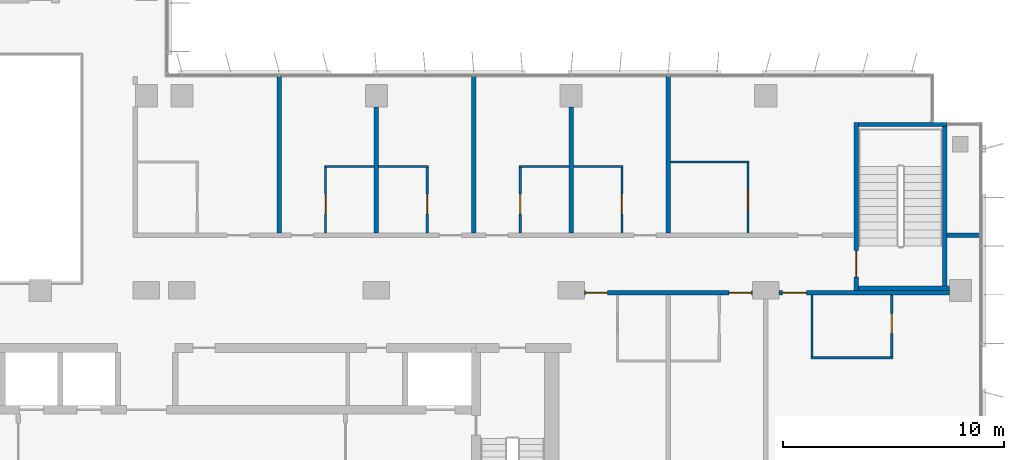
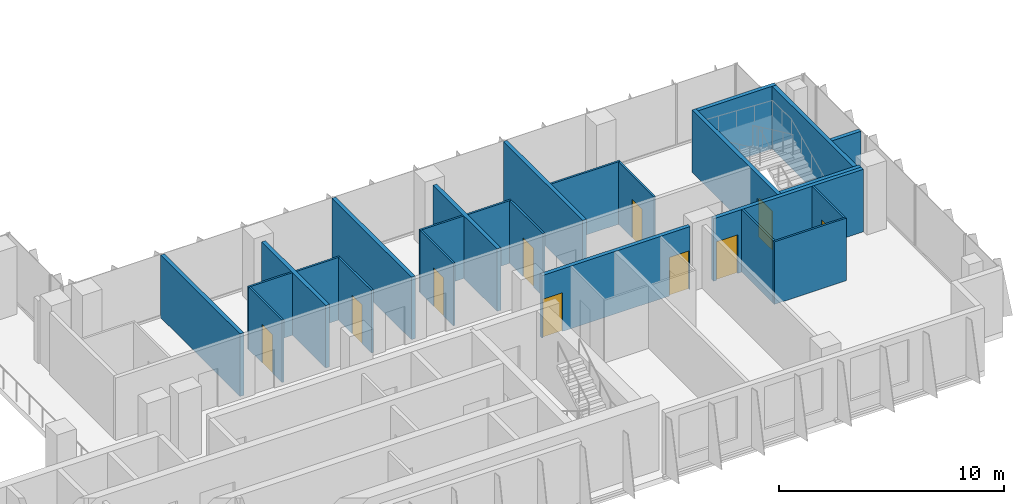
# One storey, part 14 of 22: 25 walls, 10 doors, 10 openings.
"""IFC4 building model written with IfcOpenShell, lengths in metres."""

from ifc_helpers import new_model, si_unit, direction, frame, frame_2d, origin, place, context, subcontext, project, spatial, rectangle, extrude, material, layer, layer_set, type_object, element, fill, save


model = new_model("IFC4")

# Units and contexts
model_context = context("Model", 3, precision=1e-05, world=origin(), true_north=direction((0.0, 1.0)))
body_context = subcontext(model_context, "Body", "Model", "MODEL_VIEW")
ifc_project = project(units=[si_unit("LENGTHUNIT", "METRE"), si_unit("AREAUNIT", "SQUARE_METRE"), si_unit("VOLUMEUNIT", "CUBIC_METRE"), si_unit("PLANEANGLEUNIT", "RADIAN"), si_unit("MASSUNIT", "GRAM", prefix="KILO")], contexts=[model_context])

# Site, building, storey
site_placement = place(None, origin())
site = spatial("IfcSite", under=ifc_project, at=site_placement, CompositionType="ELEMENT")
building_placement = place(site_placement, origin())
building = spatial("IfcBuilding", under=site, at=building_placement, Name="Kemantara Hotel Tower", CompositionType="ELEMENT")
storey_placement = place(building_placement, frame((0.0, 0.0, 153.10009765625)))
storey = spatial("IfcBuildingStorey", under=building, at=storey_placement, Name="L37", CompositionType="ELEMENT", Elevation=153.10009765625)

# Wall, openings, doors
ifc_material_1 = material(Name="Gypsum board partition, steel studs and mineral wool, 200 mm", Category="steel")
ifc_layer_1 = layer(ifc_material_1, 0.199951171875)
ifc_layer_set_1 = layer_set([ifc_layer_1], Name="Gypsum board partition, steel studs and mineral wool, 200 mm")
wall_type_1 = type_object("IfcWallType", Name="CORRIDOR WALL 200", PredefinedType="PARTITIONING", material=ifc_layer_set_1)
wall_1_placement = place(storey_placement, frame((53.199951171875, 12.10009765625, 0.0), z_axis=(0.0, 0.0, 1.0), x_axis=(-1.0, 0.0, 0.0)))
wall_1 = element("IfcWall", 1, at=wall_1_placement, inside=storey, type_object=wall_type_1, Name="CORRIDOR WALL 200 001", PredefinedType="PARTITIONING", context=body_context, shape_type="SweptSolid", body=[
    extrude(rectangle(XDim=7.599853515625, YDim=0.199951171875, at=frame_2d((3.7998046875, 0.0))), origin(), (0.0, 0.0, 1.0), 3.39990234375),
])
opening_1_placement = place(wall_1_placement, frame((6.5498046875, 0.0, 0.0)))
opening_1 = element("IfcOpeningElement", 2, at=opening_1_placement, cuts=wall_1, Name="Opening F17-001", PredefinedType="OPENING", context=body_context, shape_type="SweptSolid", body=[
    extrude(rectangle(XDim=1.0, YDim=2.10009765625, at=frame_2d((0.5, 1.050048828125))), frame((0.0, 0.10986328125, 0.0), z_axis=(0.0, -1.0, 0.0), x_axis=(1.0, 0.0, 0.0)), (0.0, 0.0, 1.0), 0.219970703125),
])
opening_2_placement = place(wall_1_placement, frame((0.0498046875, 0.0, 0.0)))
opening_2 = element("IfcOpeningElement", 3, at=opening_2_placement, cuts=wall_1, Name="Opening F17-003", PredefinedType="OPENING", context=body_context, shape_type="SweptSolid", body=[
    extrude(rectangle(XDim=1.0, YDim=2.10009765625, at=frame_2d((0.5, 1.050048828125))), frame((0.0, 0.10986328125, 0.0), z_axis=(0.0, -1.0, 0.0), x_axis=(1.0, 0.0, 0.0)), (0.0, 0.0, 1.0), 0.219970703125),
])
ifc_material_2 = material(Name="Hardwood veneer door leaf with steel frame", Category="steel")
door_type_1 = type_object("IfcDoorType", Name="GUEST ROOM DOOR 1000 X 2100 FD30S", OperationType="NOTDEFINED", PredefinedType="DOOR", material=ifc_material_2)
door_1_placement = place(opening_1_placement, origin())
door_1 = element("IfcDoor", 4, at=door_1_placement, inside=storey, type_object=door_type_1, Name="GUEST ROOM DOOR F17-001", OperationType="SINGLE_SWING_RIGHT", OverallHeight=2.10009765625, OverallWidth=1.0, PredefinedType="DOOR", context=body_context, shape_type="SweptSolid", body=[
    extrude(rectangle(XDim=1.0, YDim=2.10009765625, at=frame_2d((0.5, 1.050048828125))), frame((0.0, 0.02490234375, 0.0), z_axis=(0.0, -1.0, 0.0), x_axis=(1.0, 0.0, 0.0)), (0.0, 0.0, 1.0), 0.050048828125),
])
fill(opening_1, door_1)
door_2_placement = place(opening_2_placement, origin())
door_2 = element("IfcDoor", 5, at=door_2_placement, inside=storey, type_object=door_type_1, Name="GUEST ROOM DOOR F17-003", OperationType="SINGLE_SWING_LEFT", OverallHeight=2.10009765625, OverallWidth=1.0, PredefinedType="DOOR", context=body_context, shape_type="SweptSolid", body=[
    extrude(rectangle(XDim=1.0, YDim=2.10009765625, at=frame_2d((0.5, 1.050048828125))), frame((0.0, 0.02490234375, 0.0), z_axis=(0.0, -1.0, 0.0), x_axis=(1.0, 0.0, 0.0)), (0.0, 0.0, 1.0), 0.050048828125),
])
fill(opening_2, door_2)

# Wall, opening, door
wall_2_placement = place(storey_placement, frame((62.099853515625, 12.10009765625, 0.0), z_axis=(0.0, 0.0, 1.0), x_axis=(-1.0, 0.0, 0.0)))
wall_2 = element("IfcWall", 6, at=wall_2_placement, inside=storey, type_object=wall_type_1, Name="CORRIDOR WALL 200 002", PredefinedType="PARTITIONING", context=body_context, shape_type="SweptSolid", body=[
    extrude(rectangle(XDim=7.69970703125, YDim=0.199951171875, at=frame_2d((3.849853515625, 0.0))), origin(), (0.0, 0.0, 1.0), 3.39990234375),
])
opening_3_placement = place(wall_2_placement, frame((6.449951171875, 0.0, 0.0)))
opening_3 = element("IfcOpeningElement", 7, at=opening_3_placement, cuts=wall_2, Name="Opening F17-005", PredefinedType="OPENING", context=body_context, shape_type="SweptSolid", body=[
    extrude(rectangle(XDim=1.10009765625, YDim=2.10009765625, at=frame_2d((0.550048828125, 1.050048828125))), frame((0.0, 0.10986328125, 0.0), z_axis=(0.0, -1.0, 0.0), x_axis=(1.0, 0.0, 0.0)), (0.0, 0.0, 1.0), 0.219970703125),
])
door_type_2 = type_object("IfcDoorType", Name="SUITE ENTRANCE DOOR 1100 X 2100 FD30S", OperationType="NOTDEFINED", PredefinedType="DOOR", material=ifc_material_2)
door_3_placement = place(opening_3_placement, origin())
door_3 = element("IfcDoor", 8, at=door_3_placement, inside=storey, type_object=door_type_2, Name="SUITE ENTRANCE DOOR F17-005", OperationType="SINGLE_SWING_LEFT", OverallHeight=2.10009765625, OverallWidth=1.10009765625, PredefinedType="DOOR", context=body_context, shape_type="SweptSolid", body=[
    extrude(rectangle(XDim=1.10009765625, YDim=2.10009765625, at=frame_2d((0.550048828125, 1.050048828125))), frame((0.0, 0.02490234375, 0.0), z_axis=(0.0, -1.0, 0.0), x_axis=(1.0, 0.0, 0.0)), (0.0, 0.0, 1.0), 0.050048828125),
])
fill(opening_3, door_3)

# Wall
wall_3_placement = place(storey_placement, frame((62.0, 14.699951171875, 0.0), z_axis=(0.0, 0.0, 1.0), x_axis=(1.0, 0.0, 0.0)))
element("IfcWall", 9, at=wall_3_placement, inside=storey, type_object=wall_type_1, Name="CORRIDOR WALL 200 007", PredefinedType="PARTITIONING", context=body_context, shape_type="SweptSolid", body=[
    extrude(rectangle(XDim=1.47998046875, YDim=0.199951171875, at=frame_2d((0.739990234375, 0.0))), origin(), (0.0, 0.0, 1.0), 3.39990234375),
])

# Wall, opening, door
ifc_material_3 = material(Name="Concrete fc 40 MPa", Category="concrete")
ifc_layer_2 = layer(ifc_material_3, 0.199951171875)
ifc_layer_set_2 = layer_set([ifc_layer_2], Name="Concrete fc 40 MPa")
wall_type_2 = type_object("IfcWallType", Name="Concrete stair wall 200 mm", PredefinedType="SHEAR", material=ifc_layer_set_2)
wall_4_placement = place(storey_placement, frame((57.89990234375, 12.199951171875, 0.0), z_axis=(0.0, 0.0, 1.0), x_axis=(0.0, 1.0, 0.0)))
wall_4 = element("IfcWall", 10, at=wall_4_placement, inside=storey, type_object=wall_type_2, Name="Stair ST3 enclosure wall with door", PredefinedType="SHEAR", context=body_context, shape_type="SweptSolid", body=[
    extrude(rectangle(XDim=7.60009765625, YDim=0.199951171875, at=frame_2d((3.800048828125, 0.0))), origin(), (0.0, 0.0, 1.0), 3.39990234375),
])
opening_4_placement = place(wall_4_placement, frame((0.60009765625, 0.0, 0.0)))
opening_4 = element("IfcOpeningElement", 11, at=opening_4_placement, cuts=wall_4, Name="Opening ST3-C", PredefinedType="OPENING", context=body_context, shape_type="SweptSolid", body=[
    extrude(rectangle(XDim=1.199951171875, YDim=2.10009765625, at=frame_2d((0.60009765625, 1.050048828125))), frame((0.0, 0.10986328125, 0.0), z_axis=(0.0, -1.0, 0.0), x_axis=(1.0, 0.0, 0.0)), (0.0, 0.0, 1.0), 0.219970703125),
])
ifc_material_4 = material(Name="Steel fire door", Category="steel")
door_type_3 = type_object("IfcDoorType", Name="Fire door FD90 1200 x 2100", OperationType="NOTDEFINED", PredefinedType="DOOR", material=ifc_material_4)
door_4_placement = place(opening_4_placement, frame((1.199951171875, 0.0, 0.0), z_axis=(0.0, 0.0, 1.0), x_axis=(-1.0, 0.0, 0.0)))
door_4 = element("IfcDoor", 12, at=door_4_placement, inside=storey, type_object=door_type_3, Name="Stair ST3 door", OperationType="SINGLE_SWING_RIGHT", OverallHeight=2.10009765625, OverallWidth=1.199951171875, PredefinedType="DOOR", context=body_context, shape_type="SweptSolid", body=[
    extrude(rectangle(XDim=1.199951171875, YDim=2.10009765625, at=frame_2d((0.60009765625, 1.050048828125))), frame((0.0, 0.02490234375, 0.0), z_axis=(0.0, -1.0, 0.0), x_axis=(1.0, 0.0, 0.0)), (0.0, 0.0, 1.0), 0.050048828125),
])
fill(opening_4, door_4)

# Walls
wall_5_placement = place(storey_placement, frame((58.0, 19.699951171875, 0.0), z_axis=(0.0, 0.0, 1.0), x_axis=(1.0, 0.0, 0.0)))
element("IfcWall", 13, at=wall_5_placement, inside=storey, type_object=wall_type_2, Name="Stair ST3 enclosure wall N", PredefinedType="SHEAR", context=body_context, shape_type="SweptSolid", body=[
    extrude(rectangle(XDim=4.0, YDim=0.199951171875, at=frame_2d((2.0, 0.0))), origin(), (0.0, 0.0, 1.0), 3.39990234375),
])
wall_6_placement = place(storey_placement, frame((58.0, 12.300048828125, 0.0), z_axis=(0.0, 0.0, 1.0), x_axis=(1.0, 0.0, 0.0)))
element("IfcWall", 14, at=wall_6_placement, inside=storey, type_object=wall_type_2, Name="Stair ST3 enclosure wall S", PredefinedType="SHEAR", context=body_context, shape_type="SweptSolid", body=[
    extrude(rectangle(XDim=4.10009765625, YDim=0.199951171875, at=frame_2d((2.050048828125, 0.0))), origin(), (0.0, 0.0, 1.0), 3.39990234375),
])
wall_7_placement = place(storey_placement, frame((61.89990234375, 12.39990234375, 0.0), z_axis=(0.0, 0.0, 1.0), x_axis=(0.0, 1.0, 0.0)))
element("IfcWall", 15, at=wall_7_placement, inside=storey, type_object=wall_type_2, Name="Stair ST3 enclosure wall E", PredefinedType="SHEAR", context=body_context, shape_type="SweptSolid", body=[
    extrude(rectangle(XDim=7.2001953125, YDim=0.199951171875, at=frame_2d((3.60009765625, 0.0))), origin(), (0.0, 0.0, 1.0), 3.39990234375),
])
ifc_layer_3 = layer(ifc_material_1, 0.199951171875)
ifc_layer_set_3 = layer_set([ifc_layer_3], Name="Gypsum board partition, steel studs and mineral wool, 200 mm")
wall_type_3 = type_object("IfcWallType", Name="GUEST ROOM PARTY WALL 200", PredefinedType="PARTITIONING", material=ifc_layer_set_3)
for number, where, z_axis, x_axis, name in (
    (16, (49.39990234375, 14.800048828125, 0.0), (0.0, 0.0, 1.0), (0.0, 1.0, 0.0), "GUEST ROOM PARTY WALL 200 004"),
    (17, (31.800048828125, 14.800048828125, 0.0), (0.0, 0.0, 1.0), (0.0, 1.0, 0.0), "GUEST ROOM PARTY WALL 200 010"),
):
    element("IfcWall", number, at=place(storey_placement, frame(where, z_axis=z_axis, x_axis=x_axis)), inside=storey, type_object=wall_type_3, Name=name, PredefinedType="PARTITIONING", context=body_context, shape_type="SweptSolid", body=[
        extrude(rectangle(XDim=7.070068359375, YDim=0.199951171875, at=frame_2d((3.53515625, 0.0))), origin(), (0.0, 0.0, 1.0), 3.39990234375),
    ])
wall_8_placement = place(storey_placement, frame((36.199951171875, 14.800048828125, 0.0), z_axis=(0.0, 0.0, 1.0), x_axis=(0.0, 1.0, 0.0)))
element("IfcWall", 18, at=wall_8_placement, inside=storey, type_object=wall_type_3, Name="GUEST ROOM PARTY WALL 200 011", PredefinedType="PARTITIONING", context=body_context, shape_type="SweptSolid", body=[
    extrude(rectangle(XDim=5.699951171875, YDim=0.199951171875, at=frame_2d((2.85009765625, 0.0))), origin(), (0.0, 0.0, 1.0), 3.39990234375),
])
wall_9_placement = place(storey_placement, frame((40.60009765625, 14.800048828125, 0.0), z_axis=(0.0, 0.0, 1.0), x_axis=(0.0, 1.0, 0.0)))
element("IfcWall", 19, at=wall_9_placement, inside=storey, type_object=wall_type_3, Name="GUEST ROOM PARTY WALL 200 012", PredefinedType="PARTITIONING", context=body_context, shape_type="SweptSolid", body=[
    extrude(rectangle(XDim=7.070068359375, YDim=0.199951171875, at=frame_2d((3.53515625, 0.0))), origin(), (0.0, 0.0, 1.0), 3.39990234375),
])
wall_10_placement = place(storey_placement, frame((45.0, 14.800048828125, 0.0), z_axis=(0.0, 0.0, 1.0), x_axis=(0.0, 1.0, 0.0)))
element("IfcWall", 20, at=wall_10_placement, inside=storey, type_object=wall_type_3, Name="GUEST ROOM PARTY WALL 200 013", PredefinedType="PARTITIONING", context=body_context, shape_type="SweptSolid", body=[
    extrude(rectangle(XDim=5.699951171875, YDim=0.199951171875, at=frame_2d((2.85009765625, 0.0))), origin(), (0.0, 0.0, 1.0), 3.39990234375),
])
ifc_material_5 = material(Name="Gypsum board partition on steel studs, 100 mm", Category="steel")
ifc_layer_4 = layer(ifc_material_5, 0.10009765625)
ifc_layer_set_4 = layer_set([ifc_layer_4], Name="Gypsum board partition on steel studs, 100 mm")
wall_type_4 = type_object("IfcWallType", Name="ROOM PARTITION 100", PredefinedType="PARTITIONING", material=ifc_layer_set_4)
wall_11_placement = place(storey_placement, frame((55.85009765625, 9.14990234375, 0.0), z_axis=(0.0, 0.0, 1.0), x_axis=(1.0, 0.0, 0.0)))
element("IfcWall", 21, at=wall_11_placement, inside=storey, type_object=wall_type_4, Name="ROOM PARTITION 100 040", PredefinedType="PARTITIONING", context=body_context, shape_type="SweptSolid", body=[
    extrude(rectangle(XDim=3.699951171875, YDim=0.10009765625, at=frame_2d((1.85009765625, 0.0))), origin(), (0.0, 0.0, 1.0), 3.39990234375),
])
wall_12_placement = place(storey_placement, frame((55.89990234375, 9.199951171875, 0.0), z_axis=(0.0, 0.0, 1.0), x_axis=(0.0, 1.0, 0.0)))
element("IfcWall", 22, at=wall_12_placement, inside=storey, type_object=wall_type_4, Name="ROOM PARTITION 100 041", PredefinedType="PARTITIONING", context=body_context, shape_type="SweptSolid", body=[
    extrude(rectangle(XDim=2.800048828125, YDim=0.10009765625, at=frame_2d((1.39990234375, 0.0))), origin(), (0.0, 0.0, 1.0), 3.39990234375),
])

# Wall, opening, door
wall_13_placement = place(storey_placement, frame((59.5, 9.199951171875, 0.0), z_axis=(0.0, 0.0, 1.0), x_axis=(0.0, 1.0, 0.0)))
wall_13 = element("IfcWall", 23, at=wall_13_placement, inside=storey, type_object=wall_type_4, Name="ROOM PARTITION 100 042", PredefinedType="PARTITIONING", context=body_context, shape_type="SweptSolid", body=[
    extrude(rectangle(XDim=2.800048828125, YDim=0.10009765625, at=frame_2d((1.39990234375, 0.0))), origin(), (0.0, 0.0, 1.0), 3.39990234375),
])
opening_5_placement = place(wall_13_placement, frame((1.050048828125, 0.0, 0.0)))
opening_5 = element("IfcOpeningElement", 24, at=opening_5_placement, cuts=wall_13, Name="Opening F17-006", PredefinedType="OPENING", context=body_context, shape_type="SweptSolid", body=[
    extrude(rectangle(XDim=0.89990234375, YDim=2.10009765625, at=frame_2d((0.449951171875, 1.050048828125))), frame((0.0, 0.06005859375, 0.0), z_axis=(0.0, -1.0, 0.0), x_axis=(1.0, 0.0, 0.0)), (0.0, 0.0, 1.0), 0.1201171875),
])
door_type_4 = type_object("IfcDoorType", Name="BATHROOM DOOR 900 X 2100", OperationType="NOTDEFINED", PredefinedType="DOOR", material=ifc_material_2)
door_5_placement = place(opening_5_placement, origin())
door_5 = element("IfcDoor", 25, at=door_5_placement, inside=storey, type_object=door_type_4, Name="BATHROOM DOOR F17-006", OperationType="SINGLE_SWING_RIGHT", OverallHeight=2.10009765625, OverallWidth=0.89990234375, PredefinedType="DOOR", context=body_context, shape_type="SweptSolid", body=[
    extrude(rectangle(XDim=0.89990234375, YDim=2.10009765625, at=frame_2d((0.449951171875, 1.050048828125))), frame((0.0, 0.02490234375, 0.0), z_axis=(0.0, -1.0, 0.0), x_axis=(1.0, 0.0, 0.0)), (0.0, 0.0, 1.0), 0.050048828125),
])
fill(opening_5, door_5)

# Walls
wall_14_placement = place(storey_placement, frame((49.5, 18.0, 0.0), z_axis=(0.0, 0.0, 1.0), x_axis=(1.0, 0.0, 0.0)))
element("IfcWall", 26, at=wall_14_placement, inside=storey, type_object=wall_type_4, Name="ROOM PARTITION 100 044", PredefinedType="PARTITIONING", context=body_context, shape_type="SweptSolid", body=[
    extrude(rectangle(XDim=3.550048828125, YDim=0.10009765625, at=frame_2d((1.77490234375, 0.0))), origin(), (0.0, 0.0, 1.0), 3.39990234375),
])
for number, where, z_axis, x_axis, name in (
    (27, (33.85009765625, 17.800048828125, 0.0), (0.0, 0.0, 1.0), (1.0, 0.0, 0.0), "ROOM PARTITION 100 047"),
    (28, (36.300048828125, 17.800048828125, 0.0), (0.0, 0.0, 1.0), (1.0, 0.0, 0.0), "ROOM PARTITION 100 048"),
    (29, (42.64990234375, 17.800048828125, 0.0), (0.0, 0.0, 1.0), (1.0, 0.0, 0.0), "ROOM PARTITION 100 049"),
    (30, (45.10009765625, 17.800048828125, 0.0), (0.0, 0.0, 1.0), (1.0, 0.0, 0.0), "ROOM PARTITION 100 050"),
):
    element("IfcWall", number, at=place(storey_placement, frame(where, z_axis=z_axis, x_axis=x_axis)), inside=storey, type_object=wall_type_4, Name=name, PredefinedType="PARTITIONING", context=body_context, shape_type="SweptSolid", body=[
        extrude(rectangle(XDim=2.25, YDim=0.10009765625, at=frame_2d((1.125, 0.0))), origin(), (0.0, 0.0, 1.0), 3.39990234375),
    ])

# Wall, opening, door
wall_15_placement = place(storey_placement, frame((33.89990234375, 17.75, 0.0), z_axis=(0.0, 0.0, 1.0), x_axis=(0.0, -1.0, 0.0)))
wall_15 = element("IfcWall", 31, at=wall_15_placement, inside=storey, type_object=wall_type_4, Name="ROOM PARTITION 100 051", PredefinedType="PARTITIONING", context=body_context, shape_type="SweptSolid", body=[
    extrude(rectangle(XDim=2.949951171875, YDim=0.10009765625, at=frame_2d((1.47509765625, 0.0))), origin(), (0.0, 0.0, 1.0), 3.39990234375),
])
opening_6_placement = place(wall_15_placement, frame((1.199951171875, 0.0, 0.0)))
opening_6 = element("IfcOpeningElement", 32, at=opening_6_placement, cuts=wall_15, Name="Opening F17-010", PredefinedType="OPENING", context=body_context, shape_type="SweptSolid", body=[
    extrude(rectangle(XDim=0.89990234375, YDim=2.10009765625, at=frame_2d((0.449951171875, 1.050048828125))), frame((0.0, 0.06005859375, 0.0), z_axis=(0.0, -1.0, 0.0), x_axis=(1.0, 0.0, 0.0)), (0.0, 0.0, 1.0), 0.1201171875),
])
door_6_placement = place(opening_6_placement, origin())
door_6 = element("IfcDoor", 33, at=door_6_placement, inside=storey, type_object=door_type_4, Name="BATHROOM DOOR F17-010", OperationType="SINGLE_SWING_RIGHT", OverallHeight=2.10009765625, OverallWidth=0.89990234375, PredefinedType="DOOR", context=body_context, shape_type="SweptSolid", body=[
    extrude(rectangle(XDim=0.89990234375, YDim=2.10009765625, at=frame_2d((0.449951171875, 1.050048828125))), frame((0.0, 0.02490234375, 0.0), z_axis=(0.0, -1.0, 0.0), x_axis=(1.0, 0.0, 0.0)), (0.0, 0.0, 1.0), 0.050048828125),
])
fill(opening_6, door_6)

wall_16_placement = place(storey_placement, frame((38.5, 14.800048828125, 0.0), z_axis=(0.0, 0.0, 1.0), x_axis=(0.0, 1.0, 0.0)))
wall_16 = element("IfcWall", 34, at=wall_16_placement, inside=storey, type_object=wall_type_4, Name="ROOM PARTITION 100 052", PredefinedType="PARTITIONING", context=body_context, shape_type="SweptSolid", body=[
    extrude(rectangle(XDim=2.949951171875, YDim=0.10009765625, at=frame_2d((1.47509765625, 0.0))), origin(), (0.0, 0.0, 1.0), 3.39990234375),
])
opening_7_placement = place(wall_16_placement, frame((0.85009765625, 0.0, 0.0)))
opening_7 = element("IfcOpeningElement", 35, at=opening_7_placement, cuts=wall_16, Name="Opening F17-012", PredefinedType="OPENING", context=body_context, shape_type="SweptSolid", body=[
    extrude(rectangle(XDim=0.89990234375, YDim=2.10009765625, at=frame_2d((0.449951171875, 1.050048828125))), frame((0.0, 0.06005859375, 0.0), z_axis=(0.0, -1.0, 0.0), x_axis=(1.0, 0.0, 0.0)), (0.0, 0.0, 1.0), 0.1201171875),
])
door_7_placement = place(opening_7_placement, origin())
door_7 = element("IfcDoor", 36, at=door_7_placement, inside=storey, type_object=door_type_4, Name="BATHROOM DOOR F17-012", OperationType="SINGLE_SWING_LEFT", OverallHeight=2.10009765625, OverallWidth=0.89990234375, PredefinedType="DOOR", context=body_context, shape_type="SweptSolid", body=[
    extrude(rectangle(XDim=0.89990234375, YDim=2.10009765625, at=frame_2d((0.449951171875, 1.050048828125))), frame((0.0, 0.02490234375, 0.0), z_axis=(0.0, -1.0, 0.0), x_axis=(1.0, 0.0, 0.0)), (0.0, 0.0, 1.0), 0.050048828125),
])
fill(opening_7, door_7)

wall_17_placement = place(storey_placement, frame((42.699951171875, 17.75, 0.0), z_axis=(0.0, 0.0, 1.0), x_axis=(0.0, -1.0, 0.0)))
wall_17 = element("IfcWall", 37, at=wall_17_placement, inside=storey, type_object=wall_type_4, Name="ROOM PARTITION 100 053", PredefinedType="PARTITIONING", context=body_context, shape_type="SweptSolid", body=[
    extrude(rectangle(XDim=2.949951171875, YDim=0.10009765625, at=frame_2d((1.47509765625, 0.0))), origin(), (0.0, 0.0, 1.0), 3.39990234375),
])
opening_8_placement = place(wall_17_placement, frame((1.199951171875, 0.0, 0.0)))
opening_8 = element("IfcOpeningElement", 38, at=opening_8_placement, cuts=wall_17, Name="Opening F17-014", PredefinedType="OPENING", context=body_context, shape_type="SweptSolid", body=[
    extrude(rectangle(XDim=0.89990234375, YDim=2.10009765625, at=frame_2d((0.449951171875, 1.050048828125))), frame((0.0, 0.06005859375, 0.0), z_axis=(0.0, -1.0, 0.0), x_axis=(1.0, 0.0, 0.0)), (0.0, 0.0, 1.0), 0.1201171875),
])
door_8_placement = place(opening_8_placement, origin())
door_8 = element("IfcDoor", 39, at=door_8_placement, inside=storey, type_object=door_type_4, Name="BATHROOM DOOR F17-014", OperationType="SINGLE_SWING_RIGHT", OverallHeight=2.10009765625, OverallWidth=0.89990234375, PredefinedType="DOOR", context=body_context, shape_type="SweptSolid", body=[
    extrude(rectangle(XDim=0.89990234375, YDim=2.10009765625, at=frame_2d((0.449951171875, 1.050048828125))), frame((0.0, 0.02490234375, 0.0), z_axis=(0.0, -1.0, 0.0), x_axis=(1.0, 0.0, 0.0)), (0.0, 0.0, 1.0), 0.050048828125),
])
fill(opening_8, door_8)

wall_18_placement = place(storey_placement, frame((47.300048828125, 14.800048828125, 0.0), z_axis=(0.0, 0.0, 1.0), x_axis=(0.0, 1.0, 0.0)))
wall_18 = element("IfcWall", 40, at=wall_18_placement, inside=storey, type_object=wall_type_4, Name="ROOM PARTITION 100 054", PredefinedType="PARTITIONING", context=body_context, shape_type="SweptSolid", body=[
    extrude(rectangle(XDim=2.949951171875, YDim=0.10009765625, at=frame_2d((1.47509765625, 0.0))), origin(), (0.0, 0.0, 1.0), 3.39990234375),
])
opening_9_placement = place(wall_18_placement, frame((0.85009765625, 0.0, 0.0)))
opening_9 = element("IfcOpeningElement", 41, at=opening_9_placement, cuts=wall_18, Name="Opening F17-016", PredefinedType="OPENING", context=body_context, shape_type="SweptSolid", body=[
    extrude(rectangle(XDim=0.89990234375, YDim=2.10009765625, at=frame_2d((0.449951171875, 1.050048828125))), frame((0.0, 0.06005859375, 0.0), z_axis=(0.0, -1.0, 0.0), x_axis=(1.0, 0.0, 0.0)), (0.0, 0.0, 1.0), 0.1201171875),
])
door_9_placement = place(opening_9_placement, origin())
door_9 = element("IfcDoor", 42, at=door_9_placement, inside=storey, type_object=door_type_4, Name="BATHROOM DOOR F17-016", OperationType="SINGLE_SWING_LEFT", OverallHeight=2.10009765625, OverallWidth=0.89990234375, PredefinedType="DOOR", context=body_context, shape_type="SweptSolid", body=[
    extrude(rectangle(XDim=0.89990234375, YDim=2.10009765625, at=frame_2d((0.449951171875, 1.050048828125))), frame((0.0, 0.02490234375, 0.0), z_axis=(0.0, -1.0, 0.0), x_axis=(1.0, 0.0, 0.0)), (0.0, 0.0, 1.0), 0.050048828125),
])
fill(opening_9, door_9)

wall_19_placement = place(storey_placement, frame((53.0, 14.800048828125, 0.0), z_axis=(0.0, 0.0, 1.0), x_axis=(0.0, 1.0, 0.0)))
wall_19 = element("IfcWall", 43, at=wall_19_placement, inside=storey, type_object=wall_type_4, Name="ROOM PARTITION 100 055", PredefinedType="PARTITIONING", context=body_context, shape_type="SweptSolid", body=[
    extrude(rectangle(XDim=3.14990234375, YDim=0.10009765625, at=frame_2d((1.574951171875, 0.0))), origin(), (0.0, 0.0, 1.0), 3.39990234375),
])
opening_10_placement = place(wall_19_placement, frame((1.050048828125, 0.0, 0.0)))
opening_10 = element("IfcOpeningElement", 44, at=opening_10_placement, cuts=wall_19, Name="Opening F17-018", PredefinedType="OPENING", context=body_context, shape_type="SweptSolid", body=[
    extrude(rectangle(XDim=0.89990234375, YDim=2.10009765625, at=frame_2d((0.449951171875, 1.050048828125))), frame((0.0, 0.06005859375, 0.0), z_axis=(0.0, -1.0, 0.0), x_axis=(1.0, 0.0, 0.0)), (0.0, 0.0, 1.0), 0.1201171875),
])
door_10_placement = place(opening_10_placement, origin())
door_10 = element("IfcDoor", 45, at=door_10_placement, inside=storey, type_object=door_type_4, Name="BATHROOM DOOR F17-018", OperationType="SINGLE_SWING_LEFT", OverallHeight=2.10009765625, OverallWidth=0.89990234375, PredefinedType="DOOR", context=body_context, shape_type="SweptSolid", body=[
    extrude(rectangle(XDim=0.89990234375, YDim=2.10009765625, at=frame_2d((0.449951171875, 1.050048828125))), frame((0.0, 0.02490234375, 0.0), z_axis=(0.0, -1.0, 0.0), x_axis=(1.0, 0.0, 0.0)), (0.0, 0.0, 1.0), 0.050048828125),
])
fill(opening_10, door_10)

save(model, "model.ifc")
